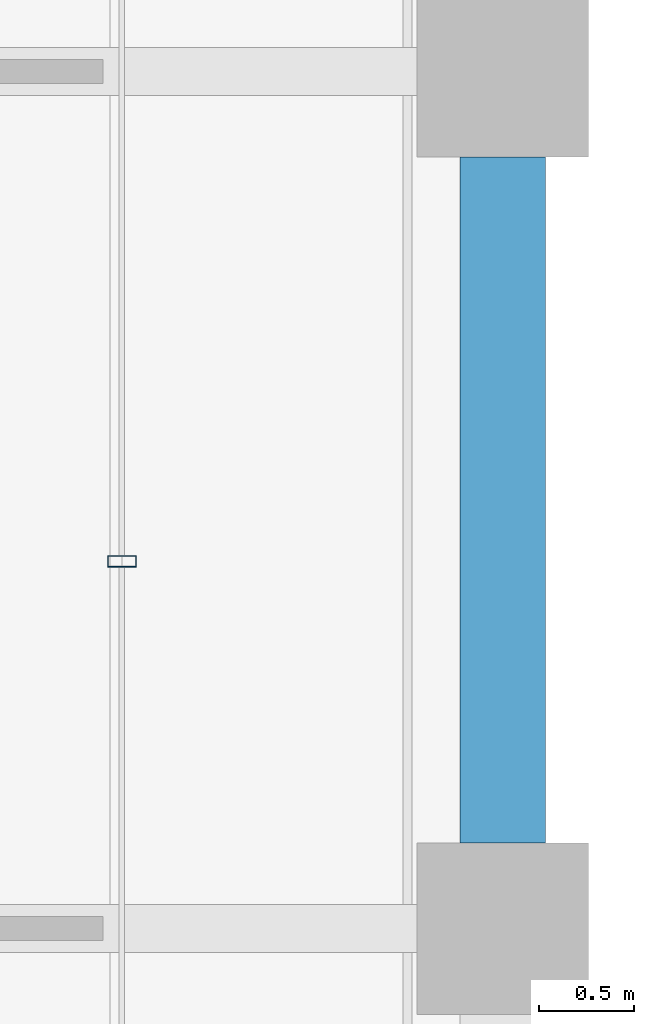
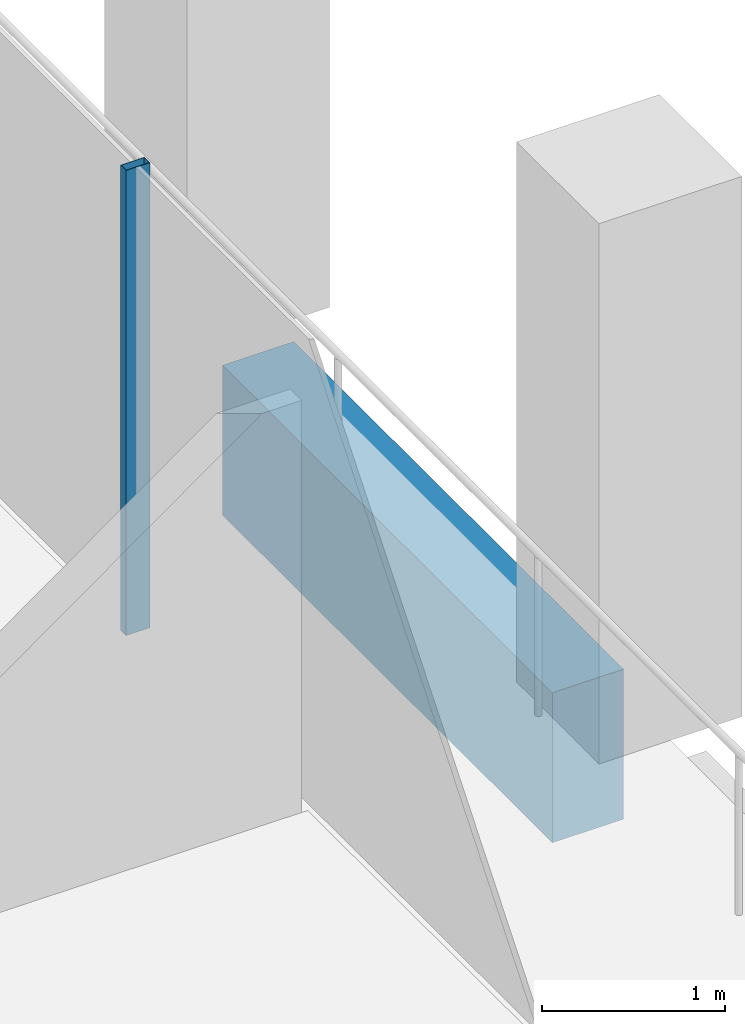
# One storey, part 17 of 40: 1 beam, 1 member, 1 element without a shape of its own.
"""IFC4 building model written with IfcOpenShell, lengths in metres."""

from ifc_helpers import new_model, si_unit, direction, frame, origin, origin_2d, place, context, subcontext, project, spatial, rectangle, hollow_rectangle, extrude, material, material_profile, profile_set, type_object, element, aggregate, save


model = new_model("IFC4")

# Units and contexts
model_context = context("Model", 3, precision=1e-05, world=origin(), true_north=direction((0.0, 1.0)))
body_context = subcontext(model_context, "Body", "Model", "MODEL_VIEW")
ifc_project = project(units=[si_unit("LENGTHUNIT", "METRE"), si_unit("AREAUNIT", "SQUARE_METRE"), si_unit("VOLUMEUNIT", "CUBIC_METRE"), si_unit("PLANEANGLEUNIT", "RADIAN"), si_unit("MASSUNIT", "GRAM", prefix="KILO")], contexts=[model_context])

# Site, building, storey
site_placement = place(None, origin())
site = spatial("IfcSite", under=ifc_project, at=site_placement, CompositionType="ELEMENT")
building_placement = place(site_placement, origin())
building = spatial("IfcBuilding", under=site, at=building_placement, Name="Altepetl Exchange Towers", CompositionType="ELEMENT")
storey_placement = place(building_placement, frame((0.0, 0.0, 147.39990234375)))
storey = spatial("IfcBuildingStorey", under=building, at=storey_placement, Name="L36", CompositionType="ELEMENT", Elevation=147.39990234375)

# Curtain wall, member
ifc_material_1 = material(Name="Aluminium 6063-T6 glazing", Category="aluminium")
curtain_wall_type = type_object("IfcCurtainWallType", Name="Loggia glazing system", PredefinedType="NOTDEFINED", material=ifc_material_1)
curtain_wall_placement = place(storey_placement, origin())
curtain_wall = element("IfcCurtainWall", 1, at=curtain_wall_placement, inside=storey, type_object=curtain_wall_type, Name="CW1 run", PredefinedType="NOTDEFINED")
ifc_material_2 = material(Name="Aluminium 6063-T6", Category="aluminium")
ifc_material_profile_1 = material_profile(ifc_material_2, hollow_rectangle(XDim=0.06005859375, YDim=0.14990234375, WallThickness=0.0029296875, at=origin_2d()), Name="Mullion 60x150 aluminium")
ifc_profile_set_1 = profile_set([ifc_material_profile_1], Name="Aluminium 6063-T6")
member_type = type_object("IfcMemberType", Name="Mullion 60x150 aluminium", PredefinedType="MULLION", material=ifc_profile_set_1)
member_placement = place(storey_placement, frame((70.0, 46.927978515625, 0.0), z_axis=(0.0, 0.0, 1.0), x_axis=(0.0, 1.0, 0.0)))
member = element("IfcMember", 2, at=member_placement, type_object=member_type, Name="MU1 mullion", PredefinedType="MULLION", context=body_context, shape_type="SweptSolid", body=[
    extrude(hollow_rectangle(XDim=0.06005859375, YDim=0.14990234375, WallThickness=0.0029296875, at=origin_2d()), origin(), (0.0, 0.0, 1.0), 3.10009765625),
])
aggregate(curtain_wall, [member])

# Beam
ifc_material_3 = material(Name="Concrete C50/60 precast with cantera amarilla facing", Category="concrete")
ifc_material_profile_2 = material_profile(ifc_material_3, rectangle(XDim=0.449951171875, YDim=1.0, at=origin_2d()), Name="450 x 1000")
ifc_profile_set_2 = profile_set([ifc_material_profile_2], Name="Concrete C50/60 precast with cantera amarilla facing")
beam_type = type_object("IfcBeamType", Name="Spandrel beam 450x1000 cantera amarilla", PredefinedType="SPANDREL", material=ifc_profile_set_2)
beam_placement = place(storey_placement, frame((72.0, 45.449951171875, -0.64990234375), z_axis=(0.0, 1.0, 0.0), x_axis=(-1.0, 0.0, 0.0)))
element("IfcBeam", 3, at=beam_placement, inside=storey, type_object=beam_type, Name="sp:A:L36:015", PredefinedType="SPANDREL", context=body_context, shape_type="SweptSolid", body=[
    extrude(rectangle(XDim=0.449951171875, YDim=1.0, at=origin_2d()), origin(), (0.0, 0.0, 1.0), 3.60009765625),
])

save(model, "model.ifc")
